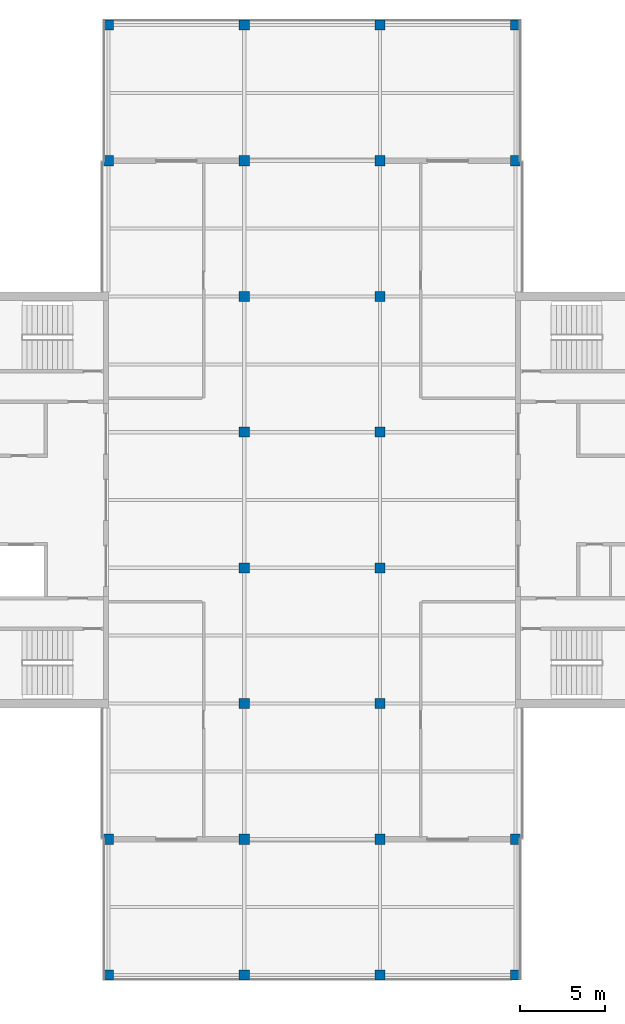
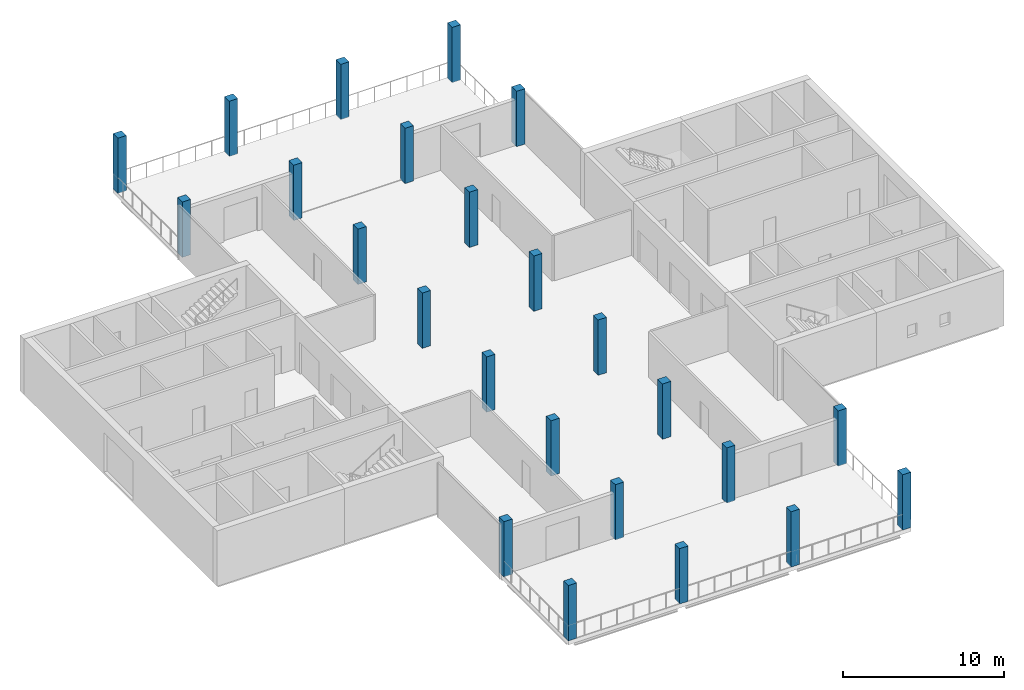
# One storey, part 1 of 12: 24 columns.
"""IFC4 building model written with IfcOpenShell, lengths in metres."""

from ifc_helpers import new_model, si_unit, direction, frame, origin, origin_2d, place, context, subcontext, project, spatial, rectangle, extrude, material, material_profile, profile_set, type_object, element, save


model = new_model("IFC4")

# Units and contexts
model_context = context("Model", 3, precision=1e-05, world=origin(), true_north=direction((0.0, 1.0)))
body_context = subcontext(model_context, "Body", "Model", "MODEL_VIEW")
ifc_project = project(units=[si_unit("LENGTHUNIT", "METRE"), si_unit("AREAUNIT", "SQUARE_METRE"), si_unit("VOLUMEUNIT", "CUBIC_METRE"), si_unit("PLANEANGLEUNIT", "RADIAN"), si_unit("MASSUNIT", "GRAM", prefix="KILO")], contexts=[model_context])

# Site, building, storey
site_placement = place(None, origin())
site = spatial("IfcSite", under=ifc_project, at=site_placement, CompositionType="ELEMENT")
building_placement = place(site_placement, origin())
building = spatial("IfcBuilding", under=site, at=building_placement, Name="Crosswind Convention Tower", CompositionType="ELEMENT")
storey_placement = place(building_placement, frame((0.0, 0.0, 328.10009765625)))
storey = spatial("IfcBuildingStorey", under=building, at=storey_placement, Name="L71", CompositionType="ELEMENT", Elevation=328.10009765625)

# Columns
ifc_material = material(Name="Concrete C60/75", Category="concrete")
ifc_material_profile = material_profile(ifc_material, rectangle(XDim=0.60009765625, YDim=0.60009765625, at=origin_2d()), Name="RC 600X600")
ifc_profile_set = profile_set([ifc_material_profile], Name="Concrete C60/75")
column_type = type_object("IfcColumnType", Name="Column RC 600X600", PredefinedType="COLUMN", material=ifc_profile_set)
for number, where, z_axis, x_axis, name in (
    (1, (113.0, 72.0, 0.0), (0.0, 0.0, 1.0), (1.0, 0.0, 0.0), "C16 L71 5/C"),
    (2, (113.0, 80.0, 0.0), (0.0, 0.0, 1.0), (1.0, 0.0, 0.0), "C16 L71 5/D"),
    (3, (113.0, 120.0, 0.0), (0.0, 0.0, 1.0), (1.0, 0.0, 0.0), "C16 L71 5/I"),
    (4, (113.0, 128.0, 0.0), (0.0, 0.0, 1.0), (1.0, 0.0, 0.0), "C16 L71 5/J"),
    (5, (121.0, 72.0, 0.0), (0.0, 0.0, 1.0), (1.0, 0.0, 0.0), "C16 L71 6/C"),
    (6, (121.0, 80.0, 0.0), (0.0, 0.0, 1.0), (1.0, 0.0, 0.0), "C16 L71 6/D"),
    (7, (121.0, 88.0, 0.0), (0.0, 0.0, 1.0), (1.0, 0.0, 0.0), "C16 L71 6/E"),
    (8, (121.0, 96.0, 0.0), (0.0, 0.0, 1.0), (1.0, 0.0, 0.0), "C16 L71 6/F"),
    (9, (121.0, 104.0, 0.0), (0.0, 0.0, 1.0), (1.0, 0.0, 0.0), "C16 L71 6/G"),
    (10, (121.0, 112.0, 0.0), (0.0, 0.0, 1.0), (1.0, 0.0, 0.0), "C16 L71 6/H"),
    (11, (121.0, 120.0, 0.0), (0.0, 0.0, 1.0), (1.0, 0.0, 0.0), "C16 L71 6/I"),
    (12, (121.0, 128.0, 0.0), (0.0, 0.0, 1.0), (1.0, 0.0, 0.0), "C16 L71 6/J"),
    (13, (129.0, 72.0, 0.0), (0.0, 0.0, 1.0), (1.0, 0.0, 0.0), "C16 L71 7/C"),
    (14, (129.0, 80.0, 0.0), (0.0, 0.0, 1.0), (1.0, 0.0, 0.0), "C16 L71 7/D"),
    (15, (129.0, 88.0, 0.0), (0.0, 0.0, 1.0), (1.0, 0.0, 0.0), "C16 L71 7/E"),
    (16, (129.0, 96.0, 0.0), (0.0, 0.0, 1.0), (1.0, 0.0, 0.0), "C16 L71 7/F"),
    (17, (129.0, 104.0, 0.0), (0.0, 0.0, 1.0), (1.0, 0.0, 0.0), "C16 L71 7/G"),
    (18, (129.0, 112.0, 0.0), (0.0, 0.0, 1.0), (1.0, 0.0, 0.0), "C16 L71 7/H"),
    (19, (129.0, 120.0, 0.0), (0.0, 0.0, 1.0), (1.0, 0.0, 0.0), "C16 L71 7/I"),
    (20, (129.0, 128.0, 0.0), (0.0, 0.0, 1.0), (1.0, 0.0, 0.0), "C16 L71 7/J"),
    (21, (137.0, 72.0, 0.0), (0.0, 0.0, 1.0), (1.0, 0.0, 0.0), "C16 L71 8/C"),
    (22, (137.0, 80.0, 0.0), (0.0, 0.0, 1.0), (1.0, 0.0, 0.0), "C16 L71 8/D"),
    (23, (137.0, 120.0, 0.0), (0.0, 0.0, 1.0), (1.0, 0.0, 0.0), "C16 L71 8/I"),
    (24, (137.0, 128.0, 0.0), (0.0, 0.0, 1.0), (1.0, 0.0, 0.0), "C16 L71 8/J"),
):
    element("IfcColumn", number, at=place(storey_placement, frame(where, z_axis=z_axis, x_axis=x_axis)), inside=storey, type_object=column_type, Name=name, PredefinedType="COLUMN", context=body_context, shape_type="SweptSolid", body=[
        extrude(rectangle(XDim=0.60009765625, YDim=0.60009765625, at=origin_2d()), origin(), (0.0, 0.0, 1.0), 4.199951171875),
    ])

save(model, "model.ifc")
